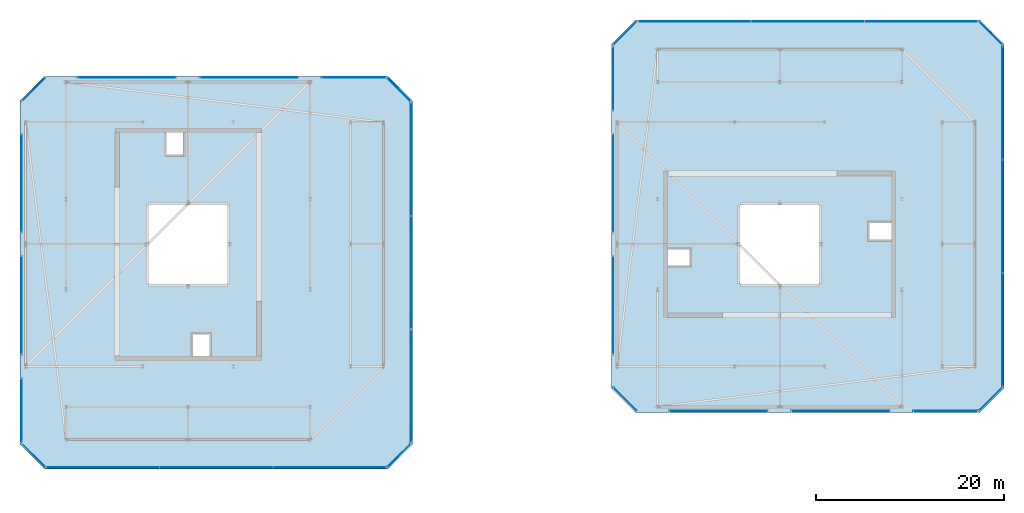
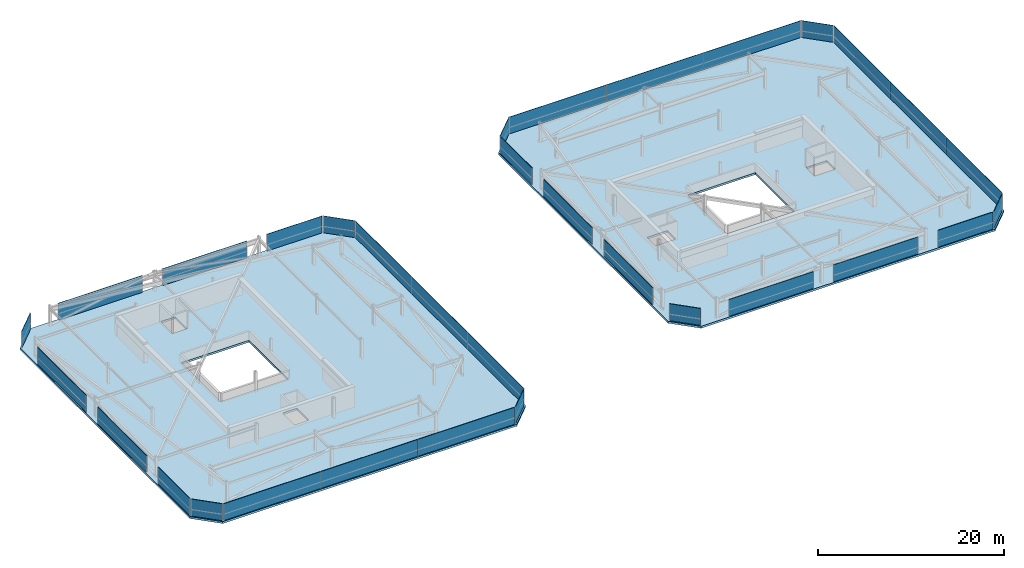
# One storey, part 37 of 42: 32 plates, 2 slabs, 24 elements without a shape of their own.
"""IFC4 building model written with IfcOpenShell, lengths in metres."""

from ifc_helpers import new_model, si_unit, direction, frame, origin, origin_2d, place, context, subcontext, project, spatial, polyline, rectangle, outline, extrude, material, layer, layer_set, type_object, element, aggregate, save


model = new_model("IFC4")

# Units and contexts
model_context = context("Model", 3, precision=1e-05, world=origin(), true_north=direction((0.0, 1.0)))
body_context = subcontext(model_context, "Body", "Model", "MODEL_VIEW")
ifc_project = project(units=[si_unit("LENGTHUNIT", "METRE"), si_unit("AREAUNIT", "SQUARE_METRE"), si_unit("VOLUMEUNIT", "CUBIC_METRE"), si_unit("PLANEANGLEUNIT", "RADIAN"), si_unit("MASSUNIT", "GRAM", prefix="KILO")], contexts=[model_context])

# Site, building, storey
site_placement = place(None, origin())
site = spatial("IfcSite", under=ifc_project, at=site_placement, CompositionType="ELEMENT")
building_placement = place(site_placement, origin())
building = spatial("IfcBuilding", under=site, at=building_placement, Name="Thornwick Lancets Civic Towers", CompositionType="ELEMENT")
storey_placement = place(building_placement, frame((0.0, 0.0, 284.10009765625)))
storey = spatial("IfcBuildingStorey", under=building, at=storey_placement, Name="C02", CompositionType="ELEMENT", Elevation=284.10009765625)

# Curtain wall, plates
ifc_material_1 = material(Name="Crown ring acoustic-louvre and glazing screen wall", Category="glass")
curtain_wall_type = type_object("IfcCurtainWallType", Name="CW_SYS_07", PredefinedType="NOTDEFINED", material=ifc_material_1)
curtain_wall_1_placement = place(storey_placement, origin())
curtain_wall_1 = element("IfcCurtainWall", 1, at=curtain_wall_1_placement, inside=storey, type_object=curtain_wall_type, Name="C02 Curtain Wall CW-C02-A-E0", PredefinedType="NOTDEFINED")
ifc_material_2 = material(Name="Terracotta acoustic louvre screen", Category="masonry")
ifc_layer_1 = layer(ifc_material_2, 0.050048828125, Name="Terracotta acoustic louvre screen")
ifc_layer_set_1 = layer_set([ifc_layer_1], Name="Terracotta acoustic louvre screen")
plate_type = type_object("IfcPlateType", Name="CW_PNL_LOUVRE", PredefinedType="SHEET", material=ifc_layer_set_1)
plate_1_placement = place(storey_placement, frame((16.432373046875, 3.2353515625, 0.0), z_axis=(0.0, 0.0, 1.0), x_axis=(1.0, 0.0, 0.0)))
plate_1 = element("IfcPlate", 2, at=plate_1_placement, type_object=plate_type, Name="CW-C02-A-E0 Panel 0", PredefinedType="SHEET", context=body_context, shape_type="SweptSolid", body=[
    extrude(rectangle(XDim=12.063720703125, YDim=0.050048828125, at=origin_2d()), origin(), (0.0, 0.0, 1.0), 2.219970703125),
])
plate_2_placement = place(storey_placement, frame((28.5, 3.2353515625, 0.0), z_axis=(0.0, 0.0, 1.0), x_axis=(1.0, 0.0, 0.0)))
plate_2 = element("IfcPlate", 3, at=plate_2_placement, type_object=plate_type, Name="CW-C02-A-E0 Panel 1", PredefinedType="SHEET", context=body_context, shape_type="SweptSolid", body=[
    extrude(rectangle(XDim=12.063720703125, YDim=0.050048828125, at=origin_2d()), origin(), (0.0, 0.0, 1.0), 2.219970703125),
])
plate_3_placement = place(storey_placement, frame((40.567626953125, 3.2353515625, 0.0), z_axis=(0.0, 0.0, 1.0), x_axis=(1.0, 0.0, 0.0)))
plate_3 = element("IfcPlate", 4, at=plate_3_placement, type_object=plate_type, Name="CW-C02-A-E0 Panel 2", PredefinedType="SHEET", context=body_context, shape_type="SweptSolid", body=[
    extrude(rectangle(XDim=12.063720703125, YDim=0.050048828125, at=origin_2d()), origin(), (0.0, 0.0, 1.0), 2.219970703125),
])
aggregate(curtain_wall_1, [plate_1, plate_2, plate_3])

# Curtain wall, plate
curtain_wall_2_placement = place(storey_placement, origin())
curtain_wall_2 = element("IfcCurtainWall", 5, at=curtain_wall_2_placement, inside=storey, type_object=curtain_wall_type, Name="C02 Curtain Wall CW-C02-A-E1", PredefinedType="NOTDEFINED")
plate_4_placement = place(storey_placement, frame((47.972900390625, 4.527099609375, 0.0), z_axis=(0.0, 0.0, 1.0), x_axis=(0.707106781187, 0.707106781187, 0.0)))
plate_4 = element("IfcPlate", 6, at=plate_4_placement, type_object=plate_type, Name="CW-C02-A-E1 Panel 0", PredefinedType="SHEET", context=body_context, shape_type="SweptSolid", body=[
    extrude(rectangle(XDim=3.4892578125, YDim=0.050048828125, at=origin_2d()), origin(), (0.0, 0.0, 1.0), 2.219970703125),
])
aggregate(curtain_wall_2, [plate_4])

# Curtain wall, plates
curtain_wall_3_placement = place(storey_placement, origin())
curtain_wall_3 = element("IfcCurtainWall", 7, at=curtain_wall_3_placement, inside=storey, type_object=curtain_wall_type, Name="C02 Curtain Wall CW-C02-A-E2", PredefinedType="NOTDEFINED")
plate_5_placement = place(storey_placement, frame((49.2646484375, 11.932373046875, 0.0), z_axis=(0.0, 0.0, 1.0), x_axis=(0.0, 1.0, 0.0)))
plate_5 = element("IfcPlate", 8, at=plate_5_placement, type_object=plate_type, Name="CW-C02-A-E2 Panel 0", PredefinedType="SHEET", context=body_context, shape_type="SweptSolid", body=[
    extrude(rectangle(XDim=12.063720703125, YDim=0.050048828125, at=origin_2d()), origin(), (0.0, 0.0, 1.0), 2.219970703125),
])
plate_6_placement = place(storey_placement, frame((49.2646484375, 24.0, 0.0), z_axis=(0.0, 0.0, 1.0), x_axis=(0.0, 1.0, 0.0)))
plate_6 = element("IfcPlate", 9, at=plate_6_placement, type_object=plate_type, Name="CW-C02-A-E2 Panel 1", PredefinedType="SHEET", context=body_context, shape_type="SweptSolid", body=[
    extrude(rectangle(XDim=12.063720703125, YDim=0.050048828125, at=origin_2d()), origin(), (0.0, 0.0, 1.0), 2.219970703125),
])
plate_7_placement = place(storey_placement, frame((49.2646484375, 36.067626953125, 0.0), z_axis=(0.0, 0.0, 1.0), x_axis=(0.0, 1.0, 0.0)))
plate_7 = element("IfcPlate", 10, at=plate_7_placement, type_object=plate_type, Name="CW-C02-A-E2 Panel 2", PredefinedType="SHEET", context=body_context, shape_type="SweptSolid", body=[
    extrude(rectangle(XDim=12.063720703125, YDim=0.050048828125, at=origin_2d()), origin(), (0.0, 0.0, 1.0), 2.219970703125),
])
aggregate(curtain_wall_3, [plate_5, plate_6, plate_7])

# Curtain wall, plate
curtain_wall_4_placement = place(storey_placement, origin())
curtain_wall_4 = element("IfcCurtainWall", 11, at=curtain_wall_4_placement, inside=storey, type_object=curtain_wall_type, Name="C02 Curtain Wall CW-C02-A-E3", PredefinedType="NOTDEFINED")
plate_8_placement = place(storey_placement, frame((47.972900390625, 43.472900390625, 0.0), z_axis=(0.0, 0.0, 1.0), x_axis=(-0.707106781187, 0.707106781187, 0.0)))
plate_8 = element("IfcPlate", 12, at=plate_8_placement, type_object=plate_type, Name="CW-C02-A-E3 Panel 0", PredefinedType="SHEET", context=body_context, shape_type="SweptSolid", body=[
    extrude(rectangle(XDim=3.4892578125, YDim=0.050048828125, at=origin_2d()), origin(), (0.0, 0.0, 1.0), 2.219970703125),
])
aggregate(curtain_wall_4, [plate_8])

curtain_wall_5_placement = place(storey_placement, origin())
curtain_wall_5 = element("IfcCurtainWall", 13, at=curtain_wall_5_placement, inside=storey, type_object=curtain_wall_type, Name="C02 Curtain Wall CW-C02-A-E4-S1", PredefinedType="NOTDEFINED")
plate_9_placement = place(storey_placement, frame((43.17578125, 44.7646484375, 0.0), z_axis=(0.0, 0.0, 1.0), x_axis=(-1.0, 0.0, 0.0)))
plate_9 = element("IfcPlate", 14, at=plate_9_placement, type_object=plate_type, Name="CW-C02-A-E4-S1 Panel 0", PredefinedType="SHEET", context=body_context, shape_type="SweptSolid", body=[
    extrude(rectangle(XDim=6.847412109375, YDim=0.050048828125, at=origin_2d()), origin(), (0.0, 0.0, 1.0), 2.219970703125),
])
aggregate(curtain_wall_5, [plate_9])

curtain_wall_6_placement = place(storey_placement, origin())
curtain_wall_6 = element("IfcCurtainWall", 15, at=curtain_wall_6_placement, inside=storey, type_object=curtain_wall_type, Name="C02 Curtain Wall CW-C02-A-E4-S2", PredefinedType="NOTDEFINED")
plate_10_placement = place(storey_placement, frame((32.0, 44.7646484375, 0.0), z_axis=(0.0, 0.0, 1.0), x_axis=(-1.0, 0.0, 0.0)))
plate_10 = element("IfcPlate", 16, at=plate_10_placement, type_object=plate_type, Name="CW-C02-A-E4-S2 Panel 0", PredefinedType="SHEET", context=body_context, shape_type="SweptSolid", body=[
    extrude(rectangle(XDim=10.49609375, YDim=0.050048828125, at=origin_2d()), origin(), (0.0, 0.0, 1.0), 2.219970703125),
])
aggregate(curtain_wall_6, [plate_10])

curtain_wall_7_placement = place(storey_placement, origin())
curtain_wall_7 = element("IfcCurtainWall", 17, at=curtain_wall_7_placement, inside=storey, type_object=curtain_wall_type, Name="C02 Curtain Wall CW-C02-A-E4-S3", PredefinedType="NOTDEFINED")
plate_11_placement = place(storey_placement, frame((19.0, 44.7646484375, 0.0), z_axis=(0.0, 0.0, 1.0), x_axis=(-1.0, 0.0, 0.0)))
plate_11 = element("IfcPlate", 18, at=plate_11_placement, type_object=plate_type, Name="CW-C02-A-E4-S3 Panel 0", PredefinedType="SHEET", context=body_context, shape_type="SweptSolid", body=[
    extrude(rectangle(XDim=10.49609375, YDim=0.050048828125, at=origin_2d()), origin(), (0.0, 0.0, 1.0), 2.219970703125),
])
aggregate(curtain_wall_7, [plate_11])

curtain_wall_8_placement = place(storey_placement, origin())
curtain_wall_8 = element("IfcCurtainWall", 19, at=curtain_wall_8_placement, inside=storey, type_object=curtain_wall_type, Name="C02 Curtain Wall CW-C02-A-E5", PredefinedType="NOTDEFINED")
plate_12_placement = place(storey_placement, frame((9.027099609375, 43.472900390625, 0.0), z_axis=(0.0, 0.0, 1.0), x_axis=(-0.707106781187, -0.707106781187, 0.0)))
plate_12 = element("IfcPlate", 20, at=plate_12_placement, type_object=plate_type, Name="CW-C02-A-E5 Panel 0", PredefinedType="SHEET", context=body_context, shape_type="SweptSolid", body=[
    extrude(rectangle(XDim=3.4892578125, YDim=0.050048828125, at=origin_2d()), origin(), (0.0, 0.0, 1.0), 2.219970703125),
])
aggregate(curtain_wall_8, [plate_12])

curtain_wall_9_placement = place(storey_placement, origin())
curtain_wall_9 = element("IfcCurtainWall", 21, at=curtain_wall_9_placement, inside=storey, type_object=curtain_wall_type, Name="C02 Curtain Wall CW-C02-A-E6-S1", PredefinedType="NOTDEFINED")
plate_13_placement = place(storey_placement, frame((7.7353515625, 33.5, 0.0), z_axis=(0.0, 0.0, 1.0), x_axis=(0.0, -1.0, 0.0)))
plate_13 = element("IfcPlate", 22, at=plate_13_placement, type_object=plate_type, Name="CW-C02-A-E6-S1 Panel 0", PredefinedType="SHEET", context=body_context, shape_type="SweptSolid", body=[
    extrude(rectangle(XDim=10.49609375, YDim=0.050048828125, at=origin_2d()), origin(), (0.0, 0.0, 1.0), 2.219970703125),
])
aggregate(curtain_wall_9, [plate_13])

curtain_wall_10_placement = place(storey_placement, origin())
curtain_wall_10 = element("IfcCurtainWall", 23, at=curtain_wall_10_placement, inside=storey, type_object=curtain_wall_type, Name="C02 Curtain Wall CW-C02-A-E6-S2", PredefinedType="NOTDEFINED")
plate_14_placement = place(storey_placement, frame((7.7353515625, 20.5, 0.0), z_axis=(0.0, 0.0, 1.0), x_axis=(0.0, -1.0, 0.0)))
plate_14 = element("IfcPlate", 24, at=plate_14_placement, type_object=plate_type, Name="CW-C02-A-E6-S2 Panel 0", PredefinedType="SHEET", context=body_context, shape_type="SweptSolid", body=[
    extrude(rectangle(XDim=10.49609375, YDim=0.050048828125, at=origin_2d()), origin(), (0.0, 0.0, 1.0), 2.219970703125),
])
aggregate(curtain_wall_10, [plate_14])

curtain_wall_11_placement = place(storey_placement, origin())
curtain_wall_11 = element("IfcCurtainWall", 25, at=curtain_wall_11_placement, inside=storey, type_object=curtain_wall_type, Name="C02 Curtain Wall CW-C02-A-E6-S3", PredefinedType="NOTDEFINED")
plate_15_placement = place(storey_placement, frame((7.7353515625, 9.32421875, 0.0), z_axis=(0.0, 0.0, 1.0), x_axis=(0.0, -1.0, 0.0)))
plate_15 = element("IfcPlate", 26, at=plate_15_placement, type_object=plate_type, Name="CW-C02-A-E6-S3 Panel 0", PredefinedType="SHEET", context=body_context, shape_type="SweptSolid", body=[
    extrude(rectangle(XDim=6.847412109375, YDim=0.050048828125, at=origin_2d()), origin(), (0.0, 0.0, 1.0), 2.219970703125),
])
aggregate(curtain_wall_11, [plate_15])

curtain_wall_12_placement = place(storey_placement, origin())
curtain_wall_12 = element("IfcCurtainWall", 27, at=curtain_wall_12_placement, inside=storey, type_object=curtain_wall_type, Name="C02 Curtain Wall CW-C02-A-E7", PredefinedType="NOTDEFINED")
plate_16_placement = place(storey_placement, frame((9.027099609375, 4.527099609375, 0.0), z_axis=(0.0, 0.0, 1.0), x_axis=(0.707106781187, -0.707106781187, 0.0)))
plate_16 = element("IfcPlate", 28, at=plate_16_placement, type_object=plate_type, Name="CW-C02-A-E7 Panel 0", PredefinedType="SHEET", context=body_context, shape_type="SweptSolid", body=[
    extrude(rectangle(XDim=3.4892578125, YDim=0.050048828125, at=origin_2d()), origin(), (0.0, 0.0, 1.0), 2.219970703125),
])
aggregate(curtain_wall_12, [plate_16])

curtain_wall_13_placement = place(storey_placement, origin())
curtain_wall_13 = element("IfcCurtainWall", 29, at=curtain_wall_13_placement, inside=storey, type_object=curtain_wall_type, Name="C02 Curtain Wall CW-C02-B-E0-S1", PredefinedType="NOTDEFINED")
plate_17_placement = place(storey_placement, frame((82.0, 9.2353515625, 0.0), z_axis=(0.0, 0.0, 1.0), x_axis=(1.0, 0.0, 0.0)))
plate_17 = element("IfcPlate", 30, at=plate_17_placement, type_object=plate_type, Name="CW-C02-B-E0-S1 Panel 0", PredefinedType="SHEET", context=body_context, shape_type="SweptSolid", body=[
    extrude(rectangle(XDim=10.49609375, YDim=0.050048828125, at=origin_2d()), origin(), (0.0, 0.0, 1.0), 2.219970703125),
])
aggregate(curtain_wall_13, [plate_17])

curtain_wall_14_placement = place(storey_placement, origin())
curtain_wall_14 = element("IfcCurtainWall", 31, at=curtain_wall_14_placement, inside=storey, type_object=curtain_wall_type, Name="C02 Curtain Wall CW-C02-B-E0-S2", PredefinedType="NOTDEFINED")
plate_18_placement = place(storey_placement, frame((95.0, 9.2353515625, 0.0), z_axis=(0.0, 0.0, 1.0), x_axis=(1.0, 0.0, 0.0)))
plate_18 = element("IfcPlate", 32, at=plate_18_placement, type_object=plate_type, Name="CW-C02-B-E0-S2 Panel 0", PredefinedType="SHEET", context=body_context, shape_type="SweptSolid", body=[
    extrude(rectangle(XDim=10.49609375, YDim=0.050048828125, at=origin_2d()), origin(), (0.0, 0.0, 1.0), 2.219970703125),
])
aggregate(curtain_wall_14, [plate_18])

curtain_wall_15_placement = place(storey_placement, origin())
curtain_wall_15 = element("IfcCurtainWall", 33, at=curtain_wall_15_placement, inside=storey, type_object=curtain_wall_type, Name="C02 Curtain Wall CW-C02-B-E0-S3", PredefinedType="NOTDEFINED")
plate_19_placement = place(storey_placement, frame((106.17578125, 9.2353515625, 0.0), z_axis=(0.0, 0.0, 1.0), x_axis=(1.0, 0.0, 0.0)))
plate_19 = element("IfcPlate", 34, at=plate_19_placement, type_object=plate_type, Name="CW-C02-B-E0-S3 Panel 0", PredefinedType="SHEET", context=body_context, shape_type="SweptSolid", body=[
    extrude(rectangle(XDim=6.847412109375, YDim=0.050048828125, at=origin_2d()), origin(), (0.0, 0.0, 1.0), 2.219970703125),
])
aggregate(curtain_wall_15, [plate_19])

curtain_wall_16_placement = place(storey_placement, origin())
curtain_wall_16 = element("IfcCurtainWall", 35, at=curtain_wall_16_placement, inside=storey, type_object=curtain_wall_type, Name="C02 Curtain Wall CW-C02-B-E1", PredefinedType="NOTDEFINED")
plate_20_placement = place(storey_placement, frame((110.972900390625, 10.527099609375, 0.0), z_axis=(0.0, 0.0, 1.0), x_axis=(0.707106781187, 0.707106781187, 0.0)))
plate_20 = element("IfcPlate", 36, at=plate_20_placement, type_object=plate_type, Name="CW-C02-B-E1 Panel 0", PredefinedType="SHEET", context=body_context, shape_type="SweptSolid", body=[
    extrude(rectangle(XDim=3.4892578125, YDim=0.050048828125, at=origin_2d()), origin(), (0.0, 0.0, 1.0), 2.219970703125),
])
aggregate(curtain_wall_16, [plate_20])

# Curtain wall, plates
curtain_wall_17_placement = place(storey_placement, origin())
curtain_wall_17 = element("IfcCurtainWall", 37, at=curtain_wall_17_placement, inside=storey, type_object=curtain_wall_type, Name="C02 Curtain Wall CW-C02-B-E2", PredefinedType="NOTDEFINED")
plate_21_placement = place(storey_placement, frame((112.2646484375, 17.932373046875, 0.0), z_axis=(0.0, 0.0, 1.0), x_axis=(0.0, 1.0, 0.0)))
plate_21 = element("IfcPlate", 38, at=plate_21_placement, type_object=plate_type, Name="CW-C02-B-E2 Panel 0", PredefinedType="SHEET", context=body_context, shape_type="SweptSolid", body=[
    extrude(rectangle(XDim=12.063720703125, YDim=0.050048828125, at=origin_2d()), origin(), (0.0, 0.0, 1.0), 2.219970703125),
])
plate_22_placement = place(storey_placement, frame((112.2646484375, 30.0, 0.0), z_axis=(0.0, 0.0, 1.0), x_axis=(0.0, 1.0, 0.0)))
plate_22 = element("IfcPlate", 39, at=plate_22_placement, type_object=plate_type, Name="CW-C02-B-E2 Panel 1", PredefinedType="SHEET", context=body_context, shape_type="SweptSolid", body=[
    extrude(rectangle(XDim=12.063720703125, YDim=0.050048828125, at=origin_2d()), origin(), (0.0, 0.0, 1.0), 2.219970703125),
])
plate_23_placement = place(storey_placement, frame((112.2646484375, 42.067626953125, 0.0), z_axis=(0.0, 0.0, 1.0), x_axis=(0.0, 1.0, 0.0)))
plate_23 = element("IfcPlate", 40, at=plate_23_placement, type_object=plate_type, Name="CW-C02-B-E2 Panel 2", PredefinedType="SHEET", context=body_context, shape_type="SweptSolid", body=[
    extrude(rectangle(XDim=12.063720703125, YDim=0.050048828125, at=origin_2d()), origin(), (0.0, 0.0, 1.0), 2.219970703125),
])
aggregate(curtain_wall_17, [plate_21, plate_22, plate_23])

# Curtain wall, plate
curtain_wall_18_placement = place(storey_placement, origin())
curtain_wall_18 = element("IfcCurtainWall", 41, at=curtain_wall_18_placement, inside=storey, type_object=curtain_wall_type, Name="C02 Curtain Wall CW-C02-B-E3", PredefinedType="NOTDEFINED")
plate_24_placement = place(storey_placement, frame((110.972900390625, 49.472900390625, 0.0), z_axis=(0.0, 0.0, 1.0), x_axis=(-0.707106781187, 0.707106781187, 0.0)))
plate_24 = element("IfcPlate", 42, at=plate_24_placement, type_object=plate_type, Name="CW-C02-B-E3 Panel 0", PredefinedType="SHEET", context=body_context, shape_type="SweptSolid", body=[
    extrude(rectangle(XDim=3.4892578125, YDim=0.050048828125, at=origin_2d()), origin(), (0.0, 0.0, 1.0), 2.219970703125),
])
aggregate(curtain_wall_18, [plate_24])

# Curtain wall, plates
curtain_wall_19_placement = place(storey_placement, origin())
curtain_wall_19 = element("IfcCurtainWall", 43, at=curtain_wall_19_placement, inside=storey, type_object=curtain_wall_type, Name="C02 Curtain Wall CW-C02-B-E4", PredefinedType="NOTDEFINED")
plate_25_placement = place(storey_placement, frame((103.567626953125, 50.7646484375, 0.0), z_axis=(0.0, 0.0, 1.0), x_axis=(-1.0, 0.0, 0.0)))
plate_25 = element("IfcPlate", 44, at=plate_25_placement, type_object=plate_type, Name="CW-C02-B-E4 Panel 0", PredefinedType="SHEET", context=body_context, shape_type="SweptSolid", body=[
    extrude(rectangle(XDim=12.063720703125, YDim=0.050048828125, at=origin_2d()), origin(), (0.0, 0.0, 1.0), 2.219970703125),
])
plate_26_placement = place(storey_placement, frame((91.5, 50.7646484375, 0.0), z_axis=(0.0, 0.0, 1.0), x_axis=(-1.0, 0.0, 0.0)))
plate_26 = element("IfcPlate", 45, at=plate_26_placement, type_object=plate_type, Name="CW-C02-B-E4 Panel 1", PredefinedType="SHEET", context=body_context, shape_type="SweptSolid", body=[
    extrude(rectangle(XDim=12.063720703125, YDim=0.050048828125, at=origin_2d()), origin(), (0.0, 0.0, 1.0), 2.219970703125),
])
plate_27_placement = place(storey_placement, frame((79.432373046875, 50.7646484375, 0.0), z_axis=(0.0, 0.0, 1.0), x_axis=(-1.0, 0.0, 0.0)))
plate_27 = element("IfcPlate", 46, at=plate_27_placement, type_object=plate_type, Name="CW-C02-B-E4 Panel 2", PredefinedType="SHEET", context=body_context, shape_type="SweptSolid", body=[
    extrude(rectangle(XDim=12.063720703125, YDim=0.050048828125, at=origin_2d()), origin(), (0.0, 0.0, 1.0), 2.219970703125),
])
aggregate(curtain_wall_19, [plate_25, plate_26, plate_27])

# Curtain wall, plate
curtain_wall_20_placement = place(storey_placement, origin())
curtain_wall_20 = element("IfcCurtainWall", 47, at=curtain_wall_20_placement, inside=storey, type_object=curtain_wall_type, Name="C02 Curtain Wall CW-C02-B-E5", PredefinedType="NOTDEFINED")
plate_28_placement = place(storey_placement, frame((72.027099609375, 49.472900390625, 0.0), z_axis=(0.0, 0.0, 1.0), x_axis=(-0.707106781187, -0.707106781187, 0.0)))
plate_28 = element("IfcPlate", 48, at=plate_28_placement, type_object=plate_type, Name="CW-C02-B-E5 Panel 0", PredefinedType="SHEET", context=body_context, shape_type="SweptSolid", body=[
    extrude(rectangle(XDim=3.4892578125, YDim=0.050048828125, at=origin_2d()), origin(), (0.0, 0.0, 1.0), 2.219970703125),
])
aggregate(curtain_wall_20, [plate_28])

curtain_wall_21_placement = place(storey_placement, origin())
curtain_wall_21 = element("IfcCurtainWall", 49, at=curtain_wall_21_placement, inside=storey, type_object=curtain_wall_type, Name="C02 Curtain Wall CW-C02-B-E6-S1", PredefinedType="NOTDEFINED")
plate_29_placement = place(storey_placement, frame((70.7353515625, 44.67578125, 0.0), z_axis=(0.0, 0.0, 1.0), x_axis=(0.0, -1.0, 0.0)))
plate_29 = element("IfcPlate", 50, at=plate_29_placement, type_object=plate_type, Name="CW-C02-B-E6-S1 Panel 0", PredefinedType="SHEET", context=body_context, shape_type="SweptSolid", body=[
    extrude(rectangle(XDim=6.847412109375, YDim=0.050048828125, at=origin_2d()), origin(), (0.0, 0.0, 1.0), 2.219970703125),
])
aggregate(curtain_wall_21, [plate_29])

curtain_wall_22_placement = place(storey_placement, origin())
curtain_wall_22 = element("IfcCurtainWall", 51, at=curtain_wall_22_placement, inside=storey, type_object=curtain_wall_type, Name="C02 Curtain Wall CW-C02-B-E6-S2", PredefinedType="NOTDEFINED")
plate_30_placement = place(storey_placement, frame((70.7353515625, 33.5, 0.0), z_axis=(0.0, 0.0, 1.0), x_axis=(0.0, -1.0, 0.0)))
plate_30 = element("IfcPlate", 52, at=plate_30_placement, type_object=plate_type, Name="CW-C02-B-E6-S2 Panel 0", PredefinedType="SHEET", context=body_context, shape_type="SweptSolid", body=[
    extrude(rectangle(XDim=10.49609375, YDim=0.050048828125, at=origin_2d()), origin(), (0.0, 0.0, 1.0), 2.219970703125),
])
aggregate(curtain_wall_22, [plate_30])

curtain_wall_23_placement = place(storey_placement, origin())
curtain_wall_23 = element("IfcCurtainWall", 53, at=curtain_wall_23_placement, inside=storey, type_object=curtain_wall_type, Name="C02 Curtain Wall CW-C02-B-E6-S3", PredefinedType="NOTDEFINED")
plate_31_placement = place(storey_placement, frame((70.7353515625, 20.5, 0.0), z_axis=(0.0, 0.0, 1.0), x_axis=(0.0, -1.0, 0.0)))
plate_31 = element("IfcPlate", 54, at=plate_31_placement, type_object=plate_type, Name="CW-C02-B-E6-S3 Panel 0", PredefinedType="SHEET", context=body_context, shape_type="SweptSolid", body=[
    extrude(rectangle(XDim=10.49609375, YDim=0.050048828125, at=origin_2d()), origin(), (0.0, 0.0, 1.0), 2.219970703125),
])
aggregate(curtain_wall_23, [plate_31])

curtain_wall_24_placement = place(storey_placement, origin())
curtain_wall_24 = element("IfcCurtainWall", 55, at=curtain_wall_24_placement, inside=storey, type_object=curtain_wall_type, Name="C02 Curtain Wall CW-C02-B-E7", PredefinedType="NOTDEFINED")
plate_32_placement = place(storey_placement, frame((72.027099609375, 10.527099609375, 0.0), z_axis=(0.0, 0.0, 1.0), x_axis=(0.707106781187, -0.707106781187, 0.0)))
plate_32 = element("IfcPlate", 56, at=plate_32_placement, type_object=plate_type, Name="CW-C02-B-E7 Panel 0", PredefinedType="SHEET", context=body_context, shape_type="SweptSolid", body=[
    extrude(rectangle(XDim=3.4892578125, YDim=0.050048828125, at=origin_2d()), origin(), (0.0, 0.0, 1.0), 2.219970703125),
])
aggregate(curtain_wall_24, [plate_32])

# Slabs
ifc_material_3 = material(Name="Concrete C40/50", Category="concrete")
ifc_layer_2 = layer(ifc_material_3, 0.260009765625, Name="Concrete C40/50")
ifc_layer_set_2 = layer_set([ifc_layer_2], Name="Concrete C40/50")
slab_type = type_object("IfcSlabType", Name="SLAB_ROOF_260", PredefinedType="ROOF", material=ifc_layer_set_2)
slab_1_placement = place(storey_placement, frame((0.0, 0.0, -0.260009765625)))
element("IfcSlab", 57, at=slab_1_placement, inside=storey, type_object=slab_type, Name="C02 Tower A Crown Structural Ring Deck", PredefinedType="ROOF", context=body_context, shape_type="SweptSolid", body=[
    extrude(outline(polyline([(10.199951171875, 3.10009765625), (46.800048828125, 3.10009765625), (49.39990234375, 5.699951171875), (49.39990234375, 42.300048828125), (46.800048828125, 44.89990234375), (10.199951171875, 44.89990234375), (7.60009765625, 42.300048828125), (7.60009765625, 5.699951171875), (10.199951171875, 3.10009765625)]), holes=[polyline([(21.300048828125, 22.800048828125), (29.699951171875, 22.800048828125), (29.699951171875, 31.199951171875), (21.300048828125, 31.199951171875), (21.300048828125, 22.800048828125)]), polyline([(26.0, 15.0), (27.800048828125, 15.0), (27.800048828125, 17.550048828125), (26.0, 17.550048828125), (26.0, 15.0)]), polyline([(23.199951171875, 36.449951171875), (25.0, 36.449951171875), (25.0, 39.0), (23.199951171875, 39.0), (23.199951171875, 36.449951171875)])]), origin(), (0.0, 0.0, 1.0), 0.260009765625),
])
slab_2_placement = place(storey_placement, frame((0.0, 0.0, -0.260009765625)))
element("IfcSlab", 58, at=slab_2_placement, inside=storey, type_object=slab_type, Name="C02 Tower B Crown Structural Ring Deck", PredefinedType="ROOF", context=body_context, shape_type="SweptSolid", body=[
    extrude(outline(polyline([(73.199951171875, 9.10009765625), (109.800048828125, 9.10009765625), (112.39990234375, 11.699951171875), (112.39990234375, 48.300048828125), (109.800048828125, 50.89990234375), (73.199951171875, 50.89990234375), (70.60009765625, 48.300048828125), (70.60009765625, 11.699951171875), (73.199951171875, 9.10009765625)]), holes=[polyline([(84.300048828125, 22.800048828125), (92.699951171875, 22.800048828125), (92.699951171875, 31.199951171875), (84.300048828125, 31.199951171875), (84.300048828125, 22.800048828125)]), polyline([(97.949951171875, 27.5), (100.5, 27.5), (100.5, 29.300048828125), (97.949951171875, 29.300048828125), (97.949951171875, 27.5)]), polyline([(76.5, 24.699951171875), (79.050048828125, 24.699951171875), (79.050048828125, 26.5), (76.5, 26.5), (76.5, 24.699951171875)])]), origin(), (0.0, 0.0, 1.0), 0.260009765625),
])

save(model, "model.ifc")
